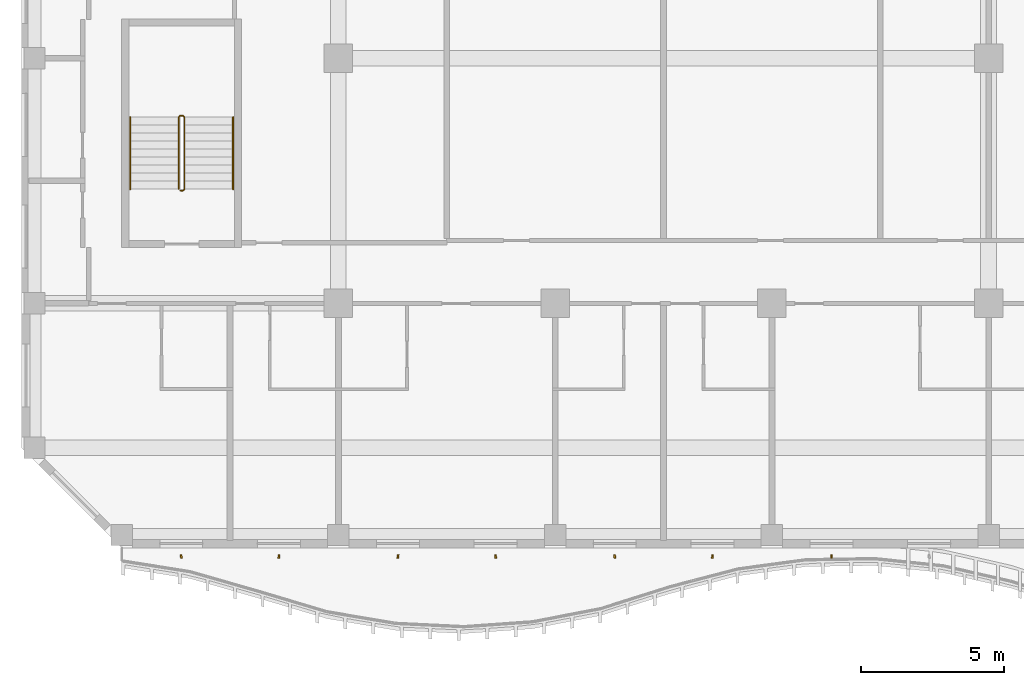
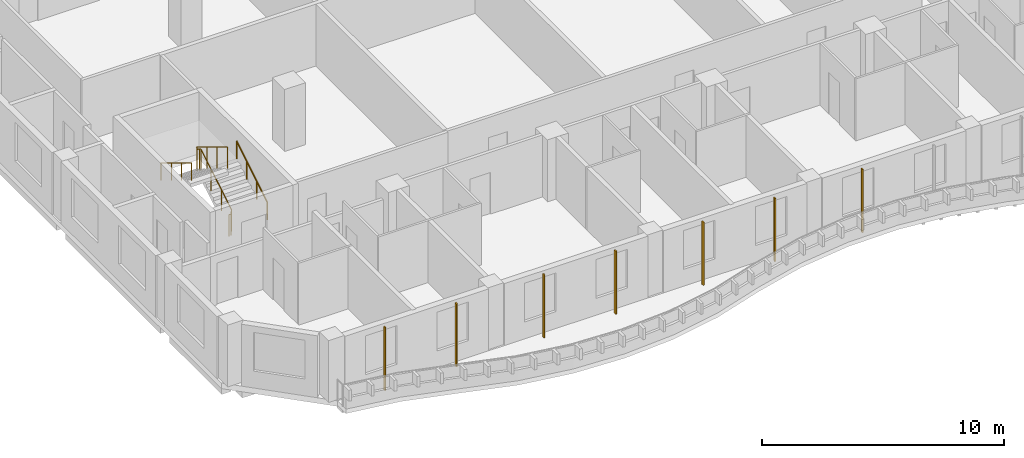
# One storey, part 14 of 21: 7 shading devices, 3 railings.
"""IFC4 building model written with IfcOpenShell, lengths in metres."""

from ifc_helpers import new_model, si_unit, direction, frame, origin, origin_2d, place, context, subcontext, project, spatial, rectangle, circle, extrude, source, transform, mapped, material, material_profile, profile_set, type_object, element, save


model = new_model("IFC4")

# Units and contexts
model_context = context("Model", 3, precision=1e-05, world=origin(), true_north=direction((0.0, 1.0)))
body_context = subcontext(model_context, "Body", "Model", "MODEL_VIEW")
ifc_project = project(units=[si_unit("LENGTHUNIT", "METRE"), si_unit("AREAUNIT", "SQUARE_METRE"), si_unit("VOLUMEUNIT", "CUBIC_METRE"), si_unit("PLANEANGLEUNIT", "RADIAN"), si_unit("MASSUNIT", "GRAM", prefix="KILO")], contexts=[model_context])

# Site, building, storey
site_placement = place(None, origin())
site = spatial("IfcSite", under=ifc_project, at=site_placement, CompositionType="ELEMENT")
building_placement = place(site_placement, origin())
building = spatial("IfcBuilding", under=site, at=building_placement, Name="Kilnfold Tower and Market Hall", CompositionType="ELEMENT")
storey_placement = place(building_placement, frame((0.0, 0.0, 210.10009765625)))
storey = spatial("IfcBuildingStorey", under=building, at=storey_placement, Name="L51", CompositionType="ELEMENT", Elevation=210.10009765625)

# Railings
ifc_material_1 = material(Name="Stainless steel 316", Category="steel")
railing_type_1 = type_object("IfcRailingType", Name="CORE STAIR GUARD 1100", PredefinedType="GUARDRAIL", material=ifc_material_1)
railing_1_placement = place(storey_placement, frame((-15.699951171875, -13.75, 0.0)))
element("IfcRailing", 1, at=railing_1_placement, inside=storey, type_object=railing_type_1, Name="L51 ST3 stair guard 1", PredefinedType="GUARDRAIL", context=body_context, shape_type="SweptSolid", body=[
    extrude(circle(Radius=0.02392578125, at=origin_2d()), frame((0.0, 0.0, 1.076171875), z_axis=(1.0, 0.0, 0.0), x_axis=(0.0, 1.0, 0.0)), (0.0, 0.0, 1.0), 0.099853515625),
    extrude(circle(Radius=0.02392578125, at=origin_2d()), frame((0.099853515625, 0.0, 1.076171875), z_axis=(0.271895245746, 0.271895245746, 0.923117517265), x_axis=(-0.707106781187, 0.707106781187, 0.0)), (0.0, 0.0, 1.0), 0.18408203125),
    extrude(circle(Radius=0.02392578125, at=origin_2d()), frame((0.14990234375, 0.050048828125, 1.24609375), z_axis=(0.0, 0.85478489116, 0.518982456201), x_axis=(-1.0, 0.0, 0.0)), (0.0, 0.0, 1.0), 2.9482421875),
    extrude(circle(Radius=0.02392578125, at=origin_2d()), frame((0.14990234375, 2.570068359375, 2.77587890625), z_axis=(-0.707106781187, 0.707106781187, 0.0), x_axis=(-0.707106781187, -0.707106781187, 0.0)), (0.0, 0.0, 1.0), 0.07080078125),
    extrude(circle(Radius=0.02392578125, at=origin_2d()), frame((0.099853515625, 2.6201171875, 2.77587890625), z_axis=(-1.0, 0.0, 0.0), x_axis=(0.0, -1.0, 0.0)), (0.0, 0.0, 1.0), 0.099853515625),
    extrude(circle(Radius=0.02392578125, at=origin_2d()), frame((0.0, 2.6201171875, 2.77587890625), z_axis=(-0.271895245746, -0.271895245746, 0.923117517265), x_axis=(0.707106781187, -0.707106781187, 0.0)), (0.0, 0.0, 1.0), 0.18408203125),
    extrude(circle(Radius=0.02392578125, at=origin_2d()), frame((-0.050048828125, 2.570068359375, 2.94580078125), z_axis=(0.0, -0.85478489116, 0.518982456201), x_axis=(1.0, 0.0, 0.0)), (0.0, 0.0, 1.0), 2.9482421875),
    extrude(circle(Radius=0.02099609375, at=origin_2d()), origin(), (0.0, 0.0, 1.0), 1.052001953125),
    extrude(circle(Radius=0.02099609375, at=origin_2d()), frame((0.099853515625, 0.0, 0.0)), (0.0, 0.0, 1.0), 1.052001953125),
    extrude(circle(Radius=0.02099609375, at=origin_2d()), frame((0.14990234375, 0.050048828125, 0.169921875)), (0.0, 0.0, 1.0), 1.052001953125),
    extrude(circle(Radius=0.02099609375, at=origin_2d()), frame((0.14990234375, 0.89013671875, 0.679931640625)), (0.0, 0.0, 1.0), 1.052001953125),
    extrude(circle(Radius=0.02099609375, at=origin_2d()), frame((0.14990234375, 1.72998046875, 1.18994140625)), (0.0, 0.0, 1.0), 1.052001953125),
    extrude(circle(Radius=0.02099609375, at=origin_2d()), frame((0.14990234375, 2.570068359375, 1.699951171875)), (0.0, 0.0, 1.0), 1.052001953125),
    extrude(circle(Radius=0.02099609375, at=origin_2d()), frame((0.099853515625, 2.6201171875, 1.699951171875)), (0.0, 0.0, 1.0), 1.052001953125),
    extrude(circle(Radius=0.02099609375, at=origin_2d()), frame((0.0, 2.6201171875, 1.699951171875)), (0.0, 0.0, 1.0), 1.052001953125),
    extrude(circle(Radius=0.02099609375, at=origin_2d()), frame((-0.050048828125, 2.570068359375, 1.869873046875)), (0.0, 0.0, 1.0), 1.052001953125),
    extrude(circle(Radius=0.02099609375, at=origin_2d()), frame((-0.050048828125, 1.72998046875, 2.3798828125)), (0.0, 0.0, 1.0), 1.052001953125),
    extrude(circle(Radius=0.02099609375, at=origin_2d()), frame((-0.050048828125, 0.89013671875, 2.889892578125)), (0.0, 0.0, 1.0), 1.052001953125),
    extrude(circle(Radius=0.02099609375, at=origin_2d()), frame((-0.050048828125, 0.050048828125, 3.39990234375)), (0.0, 0.0, 1.0), 1.052001953125),
])
ifc_material_2 = material(Name="Stainless steel 316", Category="steel")
railing_type_2 = type_object("IfcRailingType", Name="CORE STAIR HANDRAIL 900", PredefinedType="HANDRAIL", material=ifc_material_2)
railing_2_placement = place(storey_placement, frame((-13.85009765625, -13.699951171875, 0.169921875)))
element("IfcRailing", 2, at=railing_2_placement, inside=storey, type_object=railing_type_2, Name="L51 ST3 stair handrail 1", PredefinedType="HANDRAIL", context=body_context, shape_type="SweptSolid", body=[
    extrude(circle(Radius=0.02392578125, at=origin_2d()), frame((0.0, 0.0, 0.8759765625), z_axis=(0.0, 0.85478489116, 0.518982456201), x_axis=(-1.0, 0.0, 0.0)), (0.0, 0.0, 1.0), 2.9482421875),
    extrude(circle(Radius=0.02099609375, at=origin_2d()), origin(), (0.0, 0.0, 1.0), 0.851806640625),
    extrude(circle(Radius=0.02099609375, at=origin_2d()), frame((0.0, 0.840087890625, 0.510009765625)), (0.0, 0.0, 1.0), 0.851806640625),
    extrude(circle(Radius=0.02099609375, at=origin_2d()), frame((0.0, 1.679931640625, 1.02001953125)), (0.0, 0.0, 1.0), 0.851806640625),
    extrude(circle(Radius=0.02099609375, at=origin_2d()), frame((0.0, 2.52001953125, 1.530029296875)), (0.0, 0.0, 1.0), 0.851806640625),
])
railing_3_placement = place(storey_placement, frame((-17.449951171875, -11.179931640625, 1.869873046875)))
element("IfcRailing", 3, at=railing_3_placement, inside=storey, type_object=railing_type_2, Name="L51 ST3 stair handrail 2", PredefinedType="HANDRAIL", context=body_context, shape_type="SweptSolid", body=[
    extrude(circle(Radius=0.02392578125, at=origin_2d()), frame((0.0, 0.0, 0.8759765625), z_axis=(0.0, -0.85478489116, 0.518982456201), x_axis=(1.0, 0.0, 0.0)), (0.0, 0.0, 1.0), 2.9482421875),
    extrude(circle(Radius=0.02099609375, at=origin_2d()), origin(), (0.0, 0.0, 1.0), 0.851806640625),
    extrude(circle(Radius=0.02099609375, at=origin_2d()), frame((0.0, -0.840087890625, 0.510009765625)), (0.0, 0.0, 1.0), 0.851806640625),
    extrude(circle(Radius=0.02099609375, at=origin_2d()), frame((0.0, -1.679931640625, 1.02001953125)), (0.0, 0.0, 1.0), 0.851806640625),
    extrude(circle(Radius=0.02099609375, at=origin_2d()), frame((0.0, -2.52001953125, 1.530029296875)), (0.0, 0.0, 1.0), 0.851806640625),
])

# Shading devices
ifc_material_3 = material(Name="Terracotta", Category="masonry")
ifc_material_profile = material_profile(ifc_material_3, rectangle(XDim=0.06005859375, YDim=0.1201171875, at=origin_2d()), Name="BAG 60x120")
ifc_profile_set = profile_set([ifc_material_profile], Name="Terracotta")
shading_device_type = type_object("IfcShadingDeviceType", Name="BAGUETTE", PredefinedType="USERDEFINED", material=ifc_profile_set)
shared_shape = source(origin(), body_context, "Body", "SweptSolid", [
    extrude(rectangle(XDim=0.06005859375, YDim=0.1201171875, at=origin_2d()), origin(), (0.0, 0.0, 1.0), 3.179931640625),
])
for number, where, z_axis, x_axis, name in (
    (4, (-15.666748046875, -26.550048828125, 0.0), (0.0, 0.0, 1.0), (0.991928116661, 0.126801464411, 0.0), "Terracotta baguette L51 S"),
    (5, (-12.25, -26.550048828125, 0.0), (0.0, 0.0, 1.0), (0.998600518337, -0.052886716454, 0.0), "Terracotta baguette L51 S"),
    (6, (-8.083251953125, -26.550048828125, 0.0), (0.0, 0.0, 1.0), (0.99418691117, -0.107667941646, 0.0), "Terracotta baguette L51 S"),
    (7, (-4.666748046875, -26.550048828125, 0.0), (0.0, 0.0, 1.0), (0.996427568507, 0.084451765637, 0.0), "Terracotta baguette L51 S"),
    (8, (-0.5, -26.550048828125, 0.0), (0.0, 0.0, 1.0), (0.996700442199, 0.081167903265, 0.0), "Terracotta baguette L51 S"),
    (9, (2.916748046875, -26.550048828125, 0.0), (0.0, 0.0, 1.0), (0.993908941677, -0.110204426653, 0.0), "Terracotta baguette L51 S"),
    (10, (7.083251953125, -26.550048828125, 0.0), (0.0, 0.0, 1.0), (0.998794856656, -0.049079876912, 0.0), "Terracotta baguette L51 S"),
):
    element("IfcShadingDevice", number, at=place(storey_placement, frame(where, z_axis=z_axis, x_axis=x_axis)), inside=storey, type_object=shading_device_type, Name=name, ObjectType="BAGUETTE", PredefinedType="USERDEFINED", context=body_context, shape_type="MappedRepresentation", body=[
        mapped(shared_shape, transform((0.0, 0.0, 0.0))),
    ])

save(model, "model.ifc")
